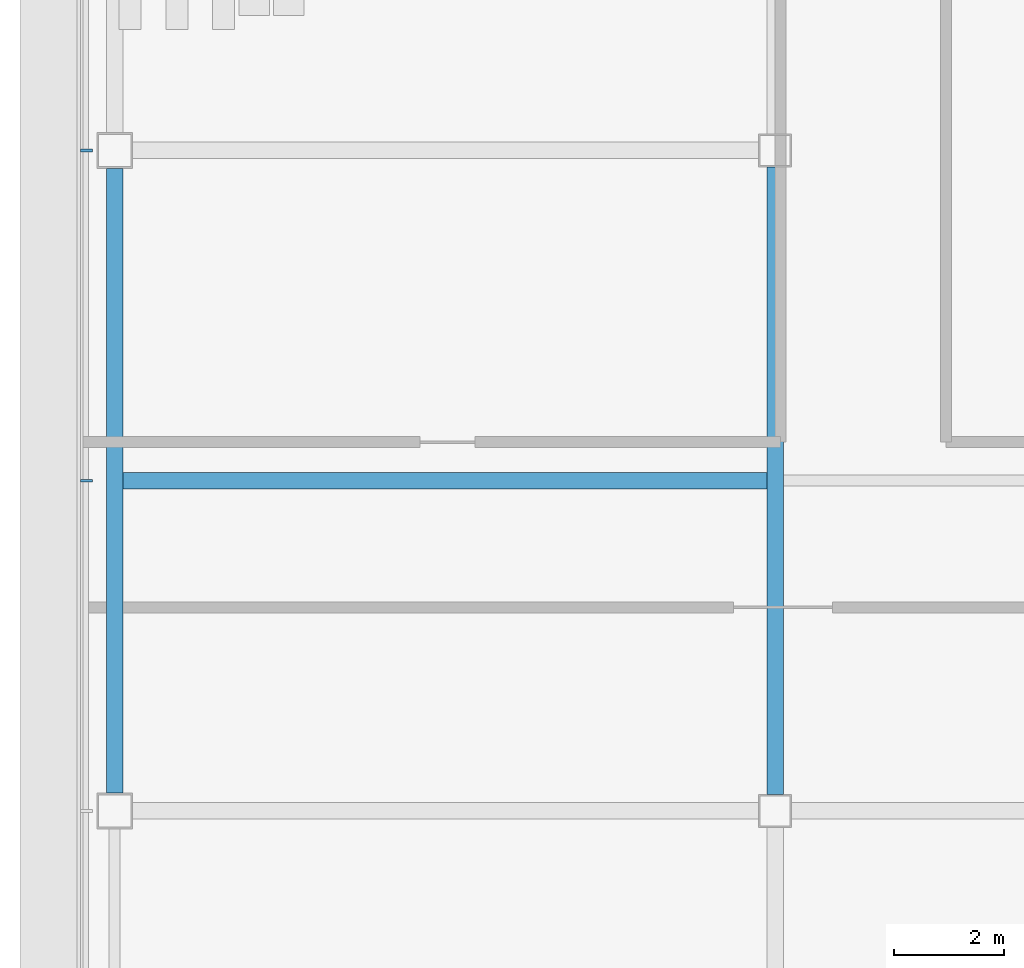
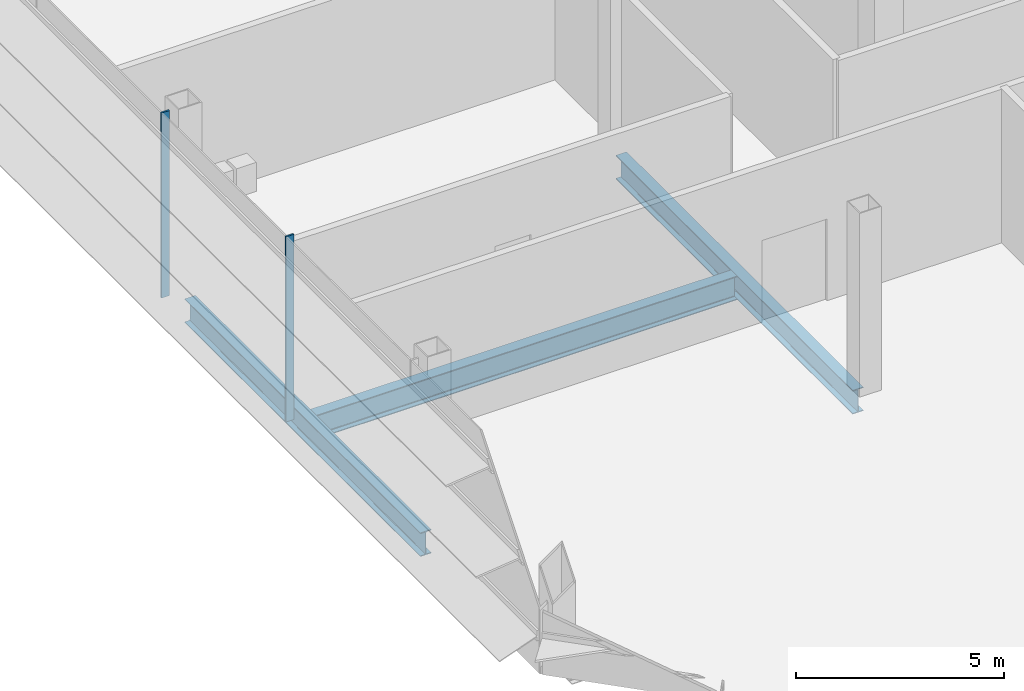
# One storey, part 4 of 25: 3 beams, 2 members, 1 element without a shape of its own.
"""IFC4 building model written with IfcOpenShell, lengths in metres."""

from ifc_helpers import new_model, si_unit, direction, frame, origin, origin_2d, place, context, subcontext, project, spatial, rectangle, i_section, extrude, material, material_profile, profile_set, type_object, element, aggregate, save


model = new_model("IFC4")

# Units and contexts
model_context = context("Model", 3, precision=1e-05, world=origin(), true_north=direction((0.0, 1.0)))
body_context = subcontext(model_context, "Body", "Model", "MODEL_VIEW")
ifc_project = project(units=[si_unit("LENGTHUNIT", "METRE"), si_unit("AREAUNIT", "SQUARE_METRE"), si_unit("VOLUMEUNIT", "CUBIC_METRE"), si_unit("PLANEANGLEUNIT", "RADIAN"), si_unit("MASSUNIT", "GRAM", prefix="KILO")], contexts=[model_context])

# Site, building, storey
site_placement = place(None, origin())
site = spatial("IfcSite", under=ifc_project, at=site_placement, CompositionType="ELEMENT")
building_placement = place(site_placement, origin())
building = spatial("IfcBuilding", under=site, at=building_placement, Name="Sorahane Residences", CompositionType="ELEMENT")
storey_placement = place(building_placement, frame((0.0, 0.0, 210.0)))
storey = spatial("IfcBuildingStorey", under=building, at=storey_placement, Name="L49", CompositionType="ELEMENT", Elevation=210.0)

# Curtain wall, members
ifc_material_1 = material(Name="Dark low-e glass and black anodised aluminium", Category="aluminium")
curtain_wall_type = type_object("IfcCurtainWallType", Name="Curtain wall CW-4 Sky floor frameless wall", PredefinedType="NOTDEFINED", material=ifc_material_1)
curtain_wall_placement = place(storey_placement, origin())
curtain_wall = element("IfcCurtainWall", 1, at=curtain_wall_placement, inside=storey, type_object=curtain_wall_type, Name="CW-4 curtain wall L49 W1", PredefinedType="NOTDEFINED")
ifc_material_2 = material(Name="Black anodised aluminium", Category="aluminium")
ifc_material_profile_1 = material_profile(ifc_material_2, rectangle(XDim=0.219970703125, YDim=0.050048828125, at=origin_2d()), Name="Curtain wall mullion CW-4 black anodised aluminium 50x220")
ifc_profile_set_1 = profile_set([ifc_material_profile_1], Name="Black anodised aluminium")
member_type = type_object("IfcMemberType", Name="Curtain wall mullion CW-4 black anodised aluminium 50x220", PredefinedType="MULLION", material=ifc_profile_set_1)
member_1_placement = place(storey_placement, frame((-12.510009765625, 24.0, -0.219970703125), z_axis=(0.0, 0.0, 1.0), x_axis=(-1.0, 0.0, 0.0)))
member_1 = element("IfcMember", 2, at=member_1_placement, type_object=member_type, Name="CW-4 mullion L49 W1.4", PredefinedType="MULLION", context=body_context, shape_type="SweptSolid", body=[
    extrude(rectangle(XDim=0.219970703125, YDim=0.050048828125, at=origin_2d()), origin(), (0.0, 0.0, 1.0), 5.43994140625),
])
member_2_placement = place(storey_placement, frame((-12.510009765625, 18.0, -0.219970703125), z_axis=(0.0, 0.0, 1.0), x_axis=(-1.0, 0.0, 0.0)))
member_2 = element("IfcMember", 3, at=member_2_placement, type_object=member_type, Name="CW-4 mullion L49 W1.5", PredefinedType="MULLION", context=body_context, shape_type="SweptSolid", body=[
    extrude(rectangle(XDim=0.219970703125, YDim=0.050048828125, at=origin_2d()), origin(), (0.0, 0.0, 1.0), 5.43994140625),
])
aggregate(curtain_wall, [member_1, member_2])

# Beams
ifc_material_3 = material(Name="Steel Q355B", Category="steel")
ifc_material_profile_2 = material_profile(ifc_material_3, i_section(OverallWidth=0.300048828125, OverallDepth=0.699951171875, WebThickness=0.012939453125, FlangeThickness=0.02392578125, FilletRadius=0.028076171875, at=origin_2d()), Name="HN 700x300x13x24")
ifc_profile_set_2 = profile_set([ifc_material_profile_2], Name="Steel Q355B")
beam_type = type_object("IfcBeamType", Name="Steel floor beam HN 700x300x13x24 Q355B", PredefinedType="BEAM", material=ifc_profile_set_2)
beam_1_placement = place(storey_placement, frame((-12.0, 12.324951171875, -0.570068359375), z_axis=(0.0, 1.0, 0.0), x_axis=(-1.0, 0.0, 0.0)))
element("IfcBeam", 4, at=beam_1_placement, inside=storey, type_object=beam_type, Name="Beam L49 021", PredefinedType="BEAM", context=body_context, shape_type="SweptSolid", body=[
    extrude(i_section(OverallWidth=0.300048828125, OverallDepth=0.699951171875, WebThickness=0.012939453125, FlangeThickness=0.02392578125, FilletRadius=0.028076171875, at=origin_2d()), origin(), (0.0, 0.0, 1.0), 11.35009765625),
])
beam_2_placement = place(storey_placement, frame((0.0, 12.300048828125, -0.570068359375), z_axis=(0.0, 1.0, 0.0), x_axis=(-1.0, 0.0, 0.0)))
element("IfcBeam", 5, at=beam_2_placement, inside=storey, type_object=beam_type, Name="Beam L49 025", PredefinedType="BEAM", context=body_context, shape_type="SweptSolid", body=[
    extrude(i_section(OverallWidth=0.300048828125, OverallDepth=0.699951171875, WebThickness=0.012939453125, FlangeThickness=0.02392578125, FilletRadius=0.028076171875, at=origin_2d()), origin(), (0.0, 0.0, 1.0), 11.39990234375),
])
beam_3_placement = place(storey_placement, frame((-11.85009765625, 18.0, -0.570068359375), z_axis=(1.0, 0.0, 0.0), x_axis=(0.0, 1.0, 0.0)))
element("IfcBeam", 6, at=beam_3_placement, inside=storey, type_object=beam_type, Name="Beam L49 078", PredefinedType="BEAM", context=body_context, shape_type="SweptSolid", body=[
    extrude(i_section(OverallWidth=0.300048828125, OverallDepth=0.699951171875, WebThickness=0.012939453125, FlangeThickness=0.02392578125, FilletRadius=0.028076171875, at=origin_2d()), origin(), (0.0, 0.0, 1.0), 11.7001953125),
])

save(model, "model.ifc")
